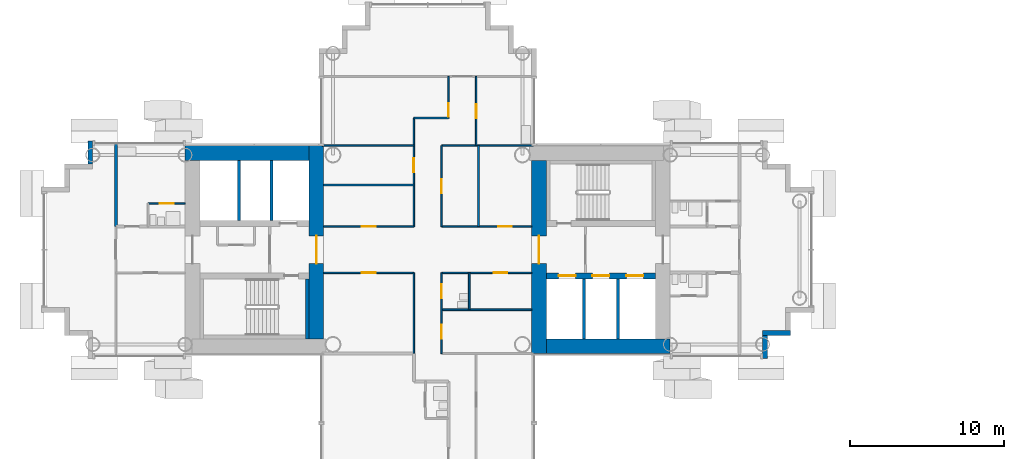
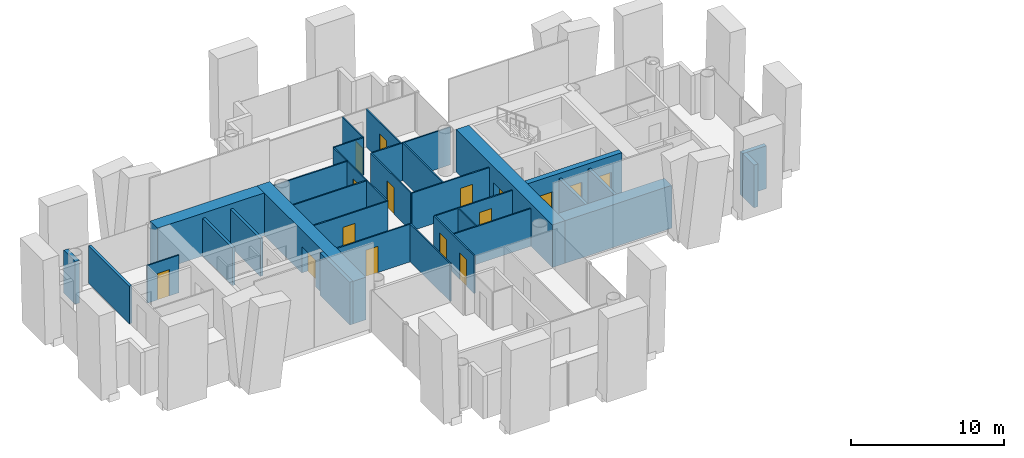
# One storey, part 9 of 20: 32 walls, 16 doors, 16 openings.
"""IFC4 building model written with IfcOpenShell, lengths in metres."""

import ifcopenshell
import ifcopenshell.guid

model = None  # the IFC model being written
_history = None  # IfcOwnerHistory: only IFC2X3 demands one
_inside = {}  # id of a spatial element -> (the spatial element, [elements in it])
_under = {}  # id of a project, library or spatial element -> (it, [spatial elements below it])
_declared = {}  # id of a project -> (the project, [libraries it declares])
_typed = {}  # id of a type object -> (the type object, [elements of that type])
_made_of = {}  # id of a material, layer set ... -> (it, [elements and type objects made of it])


def new_model(schema):
    """Start an empty IFC model of exactly this schema.

    Asked for "IFC4X3", IfcOpenShell would pick the latest addendum, in which some entities
    have other attributes; the version numbers below select the first issue.
    IFC2X3 requires an IfcOwnerHistory on every rooted entity: one is made here for all.
    """
    global model, _history
    if schema == "IFC4X3":
        model = ifcopenshell.file(schema_version=(4, 3, 0, 0))
    else:
        model = ifcopenshell.file(schema=schema)
    _inside.clear()
    _under.clear()
    _declared.clear()
    _typed.clear()
    _made_of.clear()
    _history = None
    if model.schema == "IFC2X3":
        org = make("IfcOrganization", Name="unknown")
        user = make(
            "IfcPersonAndOrganization",
            ThePerson=make("IfcPerson", FamilyName="unknown"),
            TheOrganization=org,
        )
        app = make(
            "IfcApplication",
            ApplicationDeveloper=org,
            Version="unknown",
            ApplicationFullName="unknown",
            ApplicationIdentifier="unknown",
        )
        _history = make(
            "IfcOwnerHistory",
            OwningUser=user,
            OwningApplication=app,
            ChangeAction="ADDED",
            CreationDate=0,
        )
    return model


def make(cls, **values):
    """One entity of the class cls with the attributes given. An attribute that is None is left unset."""
    return model.create_entity(
        cls, **{name: value for name, value in values.items() if value is not None}
    )


def rooted(cls, **values):
    """An entity with a GlobalId (a new one), such as an element, a storey or a relation."""
    return make(cls, GlobalId=ifcopenshell.guid.new(), OwnerHistory=_history, **values)


def si_unit(unit_type, name, prefix=None):
    """IfcSIUnit, for example si_unit("LENGTHUNIT", "METRE", prefix="MILLI")."""
    return make("IfcSIUnit", UnitType=unit_type, Prefix=prefix, Name=name)


def assignment(units):
    """IfcUnitAssignment: the units of a project."""
    return None if units is None else make("IfcUnitAssignment", Units=units)


def point(xyz):
    """IfcCartesianPoint."""
    return None if xyz is None else make("IfcCartesianPoint", Coordinates=xyz)


def direction(xyz):
    """IfcDirection."""
    return None if xyz is None else make("IfcDirection", DirectionRatios=xyz)


def frame(location, z_axis=None, x_axis=None):
    """IfcAxis2Placement3D, a coordinate frame: its origin and axes. An axis left out is left unset."""
    return make(
        "IfcAxis2Placement3D",
        Location=point(location),
        Axis=direction(z_axis),
        RefDirection=direction(x_axis),
    )


def frame_2d(location, x_axis=None):
    """IfcAxis2Placement2D, a coordinate frame in the plane: its origin and x axis."""
    return make(
        "IfcAxis2Placement2D", Location=point(location), RefDirection=direction(x_axis)
    )


def origin():
    """The frame at (0, 0, 0) with its axes left unset."""
    return frame((0.0, 0.0, 0.0))


def place(relative_to, where):
    """IfcLocalPlacement: puts the frame where relative to a parent placement (None: the world)."""
    return make(
        "IfcLocalPlacement", PlacementRelTo=relative_to, RelativePlacement=where
    )


def context(
    kind, dimensions, precision=None, world=None, true_north=None, identifier=None
):
    """IfcGeometricRepresentationContext, for example the 3D "Model" context."""
    return make(
        "IfcGeometricRepresentationContext",
        ContextIdentifier=identifier,
        ContextType=kind,
        CoordinateSpaceDimension=dimensions,
        Precision=precision,
        WorldCoordinateSystem=world,
        TrueNorth=true_north,
    )


def subcontext(parent, identifier, kind, view, scale=None):
    """IfcGeometricRepresentationSubContext, for example "Body" below "Model"."""
    return make(
        "IfcGeometricRepresentationSubContext",
        ContextIdentifier=identifier,
        ContextType=kind,
        ParentContext=parent,
        TargetScale=scale,
        TargetView=view,
    )


def project(units=None, contexts=None):
    """IfcProject with its units and contexts."""
    return rooted(
        "IfcProject",
        Name="project",
        RepresentationContexts=contexts,
        UnitsInContext=assignment(units),
    )


def spatial(cls, under=None, at=None, **own):
    """A site, building, storey or space (cls), placed at a placement, below another one or the project."""
    s = rooted(cls, ObjectPlacement=at, **own)
    if under is not None:
        _under.setdefault(under.id(), (under, []))[1].append(s)
    return s


def profile(cls, at=None, kind="AREA", **sizes):
    """A parametric profile (cls). Its sizes go by their IFC names, for example OverallWidth=200.0."""
    return make(cls, ProfileType=kind, Position=at, **sizes)


def rectangle(**sizes):
    """IfcRectangleProfileDef."""
    return profile("IfcRectangleProfileDef", **sizes)


def extrude(swept, where, along, depth):
    """IfcExtrudedAreaSolid: the profile swept, set in the frame where, extruded along a direction by depth."""
    return make(
        "IfcExtrudedAreaSolid",
        SweptArea=swept,
        Position=where,
        ExtrudedDirection=direction(along),
        Depth=depth,
    )


def shape(context_of_items, identifier, shape_type, items):
    """IfcShapeRepresentation: the items that make up one representation, for example the "Body"."""
    return make(
        "IfcShapeRepresentation",
        ContextOfItems=context_of_items,
        RepresentationIdentifier=identifier,
        RepresentationType=shape_type,
        Items=items,
    )


def material(Name=None, Category=None):
    """IfcMaterial."""
    return make("IfcMaterial", Name=Name, Category=Category)


def layer(
    of_material, thickness, ventilated=None, Name=None, Category=None, Priority=None
):
    """IfcMaterialLayer: one layer of a wall or slab, of a material (None: an air gap)."""
    return make(
        "IfcMaterialLayer",
        Material=of_material,
        LayerThickness=thickness,
        IsVentilated=ventilated,
        Name=Name,
        Category=Category,
        Priority=Priority,
    )


def layer_set(layers, Name=None):
    """IfcMaterialLayerSet."""
    return make("IfcMaterialLayerSet", MaterialLayers=layers, LayerSetName=Name)


def made_of(thing, what):
    """Note that an element or type object is made of a material, layer set ...; save() writes the relation."""
    if what is not None:
        _made_of.setdefault(what.id(), (what, []))[1].append(thing)
    return thing


def type_object(cls, material=None, **own):
    """A type object (cls), such as IfcWallType, which elements share."""
    return made_of(rooted(cls, **own), material)


def element(
    cls,
    number,
    at=None,
    inside=None,
    cuts=None,
    type_object=None,
    material=None,
    context=None,
    identifier="Body",
    shape_type=None,
    held_by="IfcProductDefinitionShape",
    body=None,
    shapes=None,
    **own,
):
    """One element of the class cls, such as IfcWall. Its Tag is "e" and its number.

    at: its placement. inside: the storey or other place that contains it. cuts: it is an
    opening in that element (IfcRelVoidsElement). A single representation is given by context,
    identifier, shape_type and body (its items); several are given by shapes. held_by: the class
    of the entity that holds the representations. save() writes the other relations.
    """
    e = rooted(cls, Tag="e%d" % number, ObjectPlacement=at, **own)
    if body is not None:
        shapes = [shape(context, identifier, shape_type, body)]
    if shapes is not None:
        e.Representation = make(held_by, Representations=shapes)
    if inside is not None:
        _inside.setdefault(inside.id(), (inside, []))[1].append(e)
    if cuts is not None:
        rooted(
            "IfcRelVoidsElement", RelatingBuildingElement=cuts, RelatedOpeningElement=e
        )
    if type_object is not None:
        _typed.setdefault(type_object.id(), (type_object, []))[1].append(e)
    return made_of(e, material)


def fill(opening, filler):
    """IfcRelFillsElement: the door or window that sits in an opening."""
    return rooted(
        "IfcRelFillsElement",
        RelatingOpeningElement=opening,
        RelatedBuildingElement=filler,
    )


def aggregate(whole, parts):
    """IfcRelAggregates: a whole, such as a stair, and the parts it consists of."""
    return rooted("IfcRelAggregates", RelatingObject=whole, RelatedObjects=parts)


def save(model, path):
    """Write the relations noted so far, then the file.

    IfcRelAggregates (storeys below a building ...), IfcRelContainedInSpatialStructure (elements
    in a storey), IfcRelDefinesByType, IfcRelAssociatesMaterial and IfcRelDeclares: one each for
    every whole, place, type object, material and project.
    """
    for whole, parts in _under.values():
        aggregate(whole, parts)
    for where, things in _inside.values():
        rooted(
            "IfcRelContainedInSpatialStructure",
            RelatedElements=things,
            RelatingStructure=where,
        )
    for kind, things in _typed.values():
        rooted("IfcRelDefinesByType", RelatedObjects=things, RelatingType=kind)
    for what, things in _made_of.values():
        rooted("IfcRelAssociatesMaterial", RelatedObjects=things, RelatingMaterial=what)
    for by, libraries in _declared.values():
        rooted("IfcRelDeclares", RelatingContext=by, RelatedDefinitions=libraries)
    model.write(path)


model = new_model("IFC4")

# Units and contexts
model_context = context("Model", 3, precision=1e-05, world=origin(), true_north=direction((0.0, 1.0)))
body_context = subcontext(model_context, "Body", "Model", "MODEL_VIEW")
ifc_project = project(units=[si_unit("LENGTHUNIT", "METRE"), si_unit("AREAUNIT", "SQUARE_METRE"), si_unit("VOLUMEUNIT", "CUBIC_METRE"), si_unit("PLANEANGLEUNIT", "RADIAN"), si_unit("MASSUNIT", "GRAM", prefix="KILO")], contexts=[model_context])

# Site, building, storey
site_placement = place(None, origin())
site = spatial("IfcSite", under=ifc_project, at=site_placement, CompositionType="ELEMENT")
building_placement = place(site_placement, origin())
building = spatial("IfcBuilding", under=site, at=building_placement, Name="Ipe Terrace Towers", CompositionType="ELEMENT")
storey_placement = place(building_placement, frame((0.0, 0.0, 100.39990234375)))
storey = spatial("IfcBuildingStorey", under=building, at=storey_placement, Name="L27", CompositionType="ELEMENT", Elevation=100.39990234375)

# Walls
ifc_material_1 = material(Name="Concrete C40/50 with buff precast cladding", Category="concrete")
ifc_layer_1 = layer(ifc_material_1, 0.320068359375)
ifc_layer_set_1 = layer_set([ifc_layer_1], Name="BUFF CLADDING WALL 320")
wall_type_1 = type_object("IfcWallType", Name="BUFF CLADDING WALL 320", PredefinedType="STANDARD", material=ifc_layer_set_1)
wall_1_placement = place(storey_placement, frame((-14.090087890625, -7.070068359375, -0.2998046875), z_axis=(0.0, 0.0, 1.0), x_axis=(0.0, 1.0, 0.0)))
element("IfcWall", 1, at=wall_1_placement, inside=storey, type_object=wall_type_1, Name="T1-W-L27-21a wall", PredefinedType="STANDARD", context=body_context, shape_type="SweptSolid", body=[
    extrude(rectangle(XDim=1.5, YDim=0.320068359375, at=frame_2d((0.75, 0.0))), origin(), (0.0, 0.0, 1.0), 3.39990234375),
])
wall_2_placement = place(storey_placement, frame((-14.25, -5.409912109375, -0.2998046875), z_axis=(0.0, 0.0, 1.0), x_axis=(1.0, 0.0, 0.0)))
element("IfcWall", 2, at=wall_2_placement, inside=storey, type_object=wall_type_1, Name="T1-W-L27-22a wall", PredefinedType="STANDARD", context=body_context, shape_type="SweptSolid", body=[
    extrude(rectangle(XDim=1.820068359375, YDim=0.320068359375, at=frame_2d((0.91015625, 0.0))), origin(), (0.0, 0.0, 1.0), 3.39990234375),
])
wall_3_placement = place(storey_placement, frame((-57.909912109375, 7.070068359375, -0.2998046875), z_axis=(0.0, 0.0, 1.0), x_axis=(0.0, -1.0, 0.0)))
element("IfcWall", 3, at=wall_3_placement, inside=storey, type_object=wall_type_1, Name="T1-W-L27-47a wall", PredefinedType="STANDARD", context=body_context, shape_type="SweptSolid", body=[
    extrude(rectangle(XDim=1.5, YDim=0.320068359375, at=frame_2d((0.75, 0.0))), origin(), (0.0, 0.0, 1.0), 3.39990234375),
])
ifc_material_2 = material(Name="Gypsum board partition", Category="plasterboard")
ifc_layer_2 = layer(ifc_material_2, 0.10009765625)
ifc_layer_set_2 = layer_set([ifc_layer_2], Name="Gypsum board partition 100 mm")
wall_type_2 = type_object("IfcWallType", Name="Gypsum board partition 100 mm", PredefinedType="PARTITIONING", material=ifc_layer_set_2)
wall_4_placement = place(storey_placement, frame((-36.89990234375, -6.75, 0.0), z_axis=(0.0, 0.0, 1.0), x_axis=(0.0, 1.0, 0.0)))
element("IfcWall", 4, at=wall_4_placement, inside=storey, type_object=wall_type_2, Name="Gypsum board partition T1 L27 W04", PredefinedType="PARTITIONING", context=body_context, shape_type="SweptSolid", body=[
    extrude(rectangle(XDim=5.25, YDim=0.10009765625, at=frame_2d((2.625, 0.0))), origin(), (0.0, 0.0, 1.0), 3.0),
])

# Wall, opening, door
wall_5_placement = place(storey_placement, frame((-36.89990234375, 1.5, 0.0), z_axis=(0.0, 0.0, 1.0), x_axis=(0.0, 1.0, 0.0)))
wall_5 = element("IfcWall", 5, at=wall_5_placement, inside=storey, type_object=wall_type_2, Name="Gypsum board partition T1 L27 W05", PredefinedType="PARTITIONING", context=body_context, shape_type="SweptSolid", body=[
    extrude(rectangle(XDim=7.050048828125, YDim=0.10009765625, at=frame_2d((3.52490234375, 0.0))), origin(), (0.0, 0.0, 1.0), 3.0),
])
opening_1_placement = place(wall_5_placement, frame((3.52490234375, 0.0, 0.0)))
opening_1 = element("IfcOpeningElement", 6, at=opening_1_placement, cuts=wall_5, Name="Opening T1-Z2E-05", PredefinedType="OPENING", context=body_context, shape_type="SweptSolid", body=[
    extrude(rectangle(XDim=0.89990234375, YDim=2.10009765625, at=frame_2d((0.449951171875, 1.050048828125))), frame((0.0, 0.06005859375, 0.0), z_axis=(0.0, -1.0, 0.0), x_axis=(1.0, 0.0, 0.0)), (0.0, 0.0, 1.0), 0.1201171875),
])
ifc_material_3 = material(Name="Timber door leaf", Category="wood")
door_type_1 = type_object("IfcDoorType", Name="Lounge door 900 x 2100", OperationType="NOTDEFINED", PredefinedType="DOOR", material=ifc_material_3)
door_1_placement = place(opening_1_placement, origin())
door_1 = element("IfcDoor", 7, at=door_1_placement, inside=storey, type_object=door_type_1, Name="Lounge door T1-Z2E-05", OperationType="SINGLE_SWING_LEFT", OverallHeight=2.10009765625, OverallWidth=0.89990234375, PredefinedType="DOOR", context=body_context, shape_type="SweptSolid", body=[
    extrude(rectangle(XDim=0.89990234375, YDim=2.10009765625, at=frame_2d((0.449951171875, 1.050048828125))), frame((0.0, 0.02490234375, 0.0), z_axis=(0.0, -1.0, 0.0), x_axis=(1.0, 0.0, 0.0)), (0.0, 0.0, 1.0), 0.050048828125),
])
fill(opening_1, door_1)

# Wall, openings, doors
wall_6_placement = place(storey_placement, frame((-35.10009765625, -6.75, 0.0), z_axis=(0.0, 0.0, 1.0), x_axis=(0.0, 1.0, 0.0)))
wall_6 = element("IfcWall", 8, at=wall_6_placement, inside=storey, type_object=wall_type_2, Name="Gypsum board partition T1 L27 W08", PredefinedType="PARTITIONING", context=body_context, shape_type="SweptSolid", body=[
    extrude(rectangle(XDim=5.25, YDim=0.10009765625, at=frame_2d((2.625, 0.0))), origin(), (0.0, 0.0, 1.0), 3.0),
])
opening_2_placement = place(wall_6_placement, frame((3.60009765625, 0.0, 0.0)))
opening_2 = element("IfcOpeningElement", 9, at=opening_2_placement, cuts=wall_6, Name="Opening T1-Z2E-01", PredefinedType="OPENING", context=body_context, shape_type="SweptSolid", body=[
    extrude(rectangle(XDim=0.89990234375, YDim=2.10009765625, at=frame_2d((0.449951171875, 1.050048828125))), frame((0.0, 0.06005859375, 0.0), z_axis=(0.0, -1.0, 0.0), x_axis=(1.0, 0.0, 0.0)), (0.0, 0.0, 1.0), 0.1201171875),
])
opening_3_placement = place(wall_6_placement, frame((0.97509765625, 0.0, 0.0)))
opening_3 = element("IfcOpeningElement", 10, at=opening_3_placement, cuts=wall_6, Name="Opening T1-Z2E-08", PredefinedType="OPENING", context=body_context, shape_type="SweptSolid", body=[
    extrude(rectangle(XDim=0.89990234375, YDim=2.10009765625, at=frame_2d((0.449951171875, 1.050048828125))), frame((0.0, 0.06005859375, 0.0), z_axis=(0.0, -1.0, 0.0), x_axis=(1.0, 0.0, 0.0)), (0.0, 0.0, 1.0), 0.1201171875),
])
ifc_material_4 = material(Name="Timber door leaf", Category="wood")
door_type_2 = type_object("IfcDoorType", Name="Bathroom door 900 x 2100", OperationType="NOTDEFINED", PredefinedType="DOOR", material=ifc_material_4)
door_2_placement = place(opening_2_placement, origin())
door_2 = element("IfcDoor", 11, at=door_2_placement, inside=storey, type_object=door_type_2, Name="Bathroom door T1-Z2E-01", OperationType="SINGLE_SWING_RIGHT", OverallHeight=2.10009765625, OverallWidth=0.89990234375, PredefinedType="DOOR", context=body_context, shape_type="SweptSolid", body=[
    extrude(rectangle(XDim=0.89990234375, YDim=2.10009765625, at=frame_2d((0.449951171875, 1.050048828125))), frame((0.0, 0.02490234375, 0.0), z_axis=(0.0, -1.0, 0.0), x_axis=(1.0, 0.0, 0.0)), (0.0, 0.0, 1.0), 0.050048828125),
])
fill(opening_2, door_2)
door_3_placement = place(opening_3_placement, origin())
door_3 = element("IfcDoor", 12, at=door_3_placement, inside=storey, type_object=door_type_1, Name="Lounge door T1-Z2E-08", OperationType="SINGLE_SWING_LEFT", OverallHeight=2.10009765625, OverallWidth=0.89990234375, PredefinedType="DOOR", context=body_context, shape_type="SweptSolid", body=[
    extrude(rectangle(XDim=0.89990234375, YDim=2.10009765625, at=frame_2d((0.449951171875, 1.050048828125))), frame((0.0, 0.02490234375, 0.0), z_axis=(0.0, -1.0, 0.0), x_axis=(1.0, 0.0, 0.0)), (0.0, 0.0, 1.0), 0.050048828125),
])
fill(opening_3, door_3)

# Wall, opening, door
wall_7_placement = place(storey_placement, frame((-35.10009765625, 1.5, 0.0), z_axis=(0.0, 0.0, 1.0), x_axis=(0.0, 1.0, 0.0)))
wall_7 = element("IfcWall", 13, at=wall_7_placement, inside=storey, type_object=wall_type_2, Name="Gypsum board partition T1 L27 W09", PredefinedType="PARTITIONING", context=body_context, shape_type="SweptSolid", body=[
    extrude(rectangle(XDim=5.25, YDim=0.10009765625, at=frame_2d((2.625, 0.0))), origin(), (0.0, 0.0, 1.0), 3.0),
])
opening_4_placement = place(wall_7_placement, frame((2.175048828125, 0.0, 0.0)))
opening_4 = element("IfcOpeningElement", 14, at=opening_4_placement, cuts=wall_7, Name="Opening T1-Z2E-02", PredefinedType="OPENING", context=body_context, shape_type="SweptSolid", body=[
    extrude(rectangle(XDim=0.89990234375, YDim=2.10009765625, at=frame_2d((0.449951171875, 1.050048828125))), frame((0.0, 0.06005859375, 0.0), z_axis=(0.0, -1.0, 0.0), x_axis=(1.0, 0.0, 0.0)), (0.0, 0.0, 1.0), 0.1201171875),
])
door_4_placement = place(opening_4_placement, origin())
door_4 = element("IfcDoor", 15, at=door_4_placement, inside=storey, type_object=door_type_1, Name="Lounge door T1-Z2E-02", OperationType="SINGLE_SWING_RIGHT", OverallHeight=2.10009765625, OverallWidth=0.89990234375, PredefinedType="DOOR", context=body_context, shape_type="SweptSolid", body=[
    extrude(rectangle(XDim=0.89990234375, YDim=2.10009765625, at=frame_2d((0.449951171875, 1.050048828125))), frame((0.0, 0.02490234375, 0.0), z_axis=(0.0, -1.0, 0.0), x_axis=(1.0, 0.0, 0.0)), (0.0, 0.0, 1.0), 0.050048828125),
])
fill(opening_4, door_4)

wall_8_placement = place(storey_placement, frame((-34.64990234375, 8.550048828125, 0.0), z_axis=(0.0, 0.0, 1.0), x_axis=(0.0, 1.0, 0.0)))
wall_8 = element("IfcWall", 16, at=wall_8_placement, inside=storey, type_object=wall_type_2, Name="Gypsum board partition T1 L27 W10", PredefinedType="PARTITIONING", context=body_context, shape_type="SweptSolid", body=[
    extrude(rectangle(XDim=2.699951171875, YDim=0.10009765625, at=frame_2d((1.35009765625, 0.0))), origin(), (0.0, 0.0, 1.0), 3.0),
])
opening_5_placement = place(wall_8_placement, frame((0.070068359375, 0.0, 0.0)))
opening_5 = element("IfcOpeningElement", 17, at=opening_5_placement, cuts=wall_8, Name="Opening T1-Z2E-09", PredefinedType="OPENING", context=body_context, shape_type="SweptSolid", body=[
    extrude(rectangle(XDim=0.89990234375, YDim=2.10009765625, at=frame_2d((0.449951171875, 1.050048828125))), frame((0.0, 0.06005859375, 0.0), z_axis=(0.0, -1.0, 0.0), x_axis=(1.0, 0.0, 0.0)), (0.0, 0.0, 1.0), 0.1201171875),
])
door_5_placement = place(opening_5_placement, origin())
door_5 = element("IfcDoor", 18, at=door_5_placement, inside=storey, type_object=door_type_1, Name="Lounge door T1-Z2E-09", OperationType="SINGLE_SWING_RIGHT", OverallHeight=2.10009765625, OverallWidth=0.89990234375, PredefinedType="DOOR", context=body_context, shape_type="SweptSolid", body=[
    extrude(rectangle(XDim=0.89990234375, YDim=2.10009765625, at=frame_2d((0.449951171875, 1.050048828125))), frame((0.0, 0.02490234375, 0.0), z_axis=(0.0, -1.0, 0.0), x_axis=(1.0, 0.0, 0.0)), (0.0, 0.0, 1.0), 0.050048828125),
])
fill(opening_5, door_5)

# Wall
wall_9_placement = place(storey_placement, frame((-33.300048828125, -3.89990234375, 0.0), z_axis=(0.0, 0.0, 1.0), x_axis=(0.0, 1.0, 0.0)))
element("IfcWall", 19, at=wall_9_placement, inside=storey, type_object=wall_type_2, Name="Gypsum board partition T1 L27 W12", PredefinedType="PARTITIONING", context=body_context, shape_type="SweptSolid", body=[
    extrude(rectangle(XDim=2.39990234375, YDim=0.10009765625, at=frame_2d((1.199951171875, 0.0))), origin(), (0.0, 0.0, 1.0), 3.0),
])

# Wall, opening, door
wall_10_placement = place(storey_placement, frame((-32.85009765625, 6.75, 0.0), z_axis=(0.0, 0.0, 1.0), x_axis=(0.0, 1.0, 0.0)))
wall_10 = element("IfcWall", 20, at=wall_10_placement, inside=storey, type_object=wall_type_2, Name="Gypsum board partition T1 L27 W14", PredefinedType="PARTITIONING", context=body_context, shape_type="SweptSolid", body=[
    extrude(rectangle(XDim=4.5, YDim=0.10009765625, at=frame_2d((2.25, 0.0))), origin(), (0.0, 0.0, 1.0), 3.0),
])
opening_6_placement = place(wall_10_placement, frame((1.800048828125, 0.0, 0.0)))
opening_6 = element("IfcOpeningElement", 21, at=opening_6_placement, cuts=wall_10, Name="Opening T1-Z2E-10", PredefinedType="OPENING", context=body_context, shape_type="SweptSolid", body=[
    extrude(rectangle(XDim=0.89990234375, YDim=2.10009765625, at=frame_2d((0.449951171875, 1.050048828125))), frame((0.0, 0.06005859375, 0.0), z_axis=(0.0, -1.0, 0.0), x_axis=(1.0, 0.0, 0.0)), (0.0, 0.0, 1.0), 0.1201171875),
])
door_6_placement = place(opening_6_placement, origin())
door_6 = element("IfcDoor", 22, at=door_6_placement, inside=storey, type_object=door_type_1, Name="Lounge door T1-Z2E-10", OperationType="SINGLE_SWING_RIGHT", OverallHeight=2.10009765625, OverallWidth=0.89990234375, PredefinedType="DOOR", context=body_context, shape_type="SweptSolid", body=[
    extrude(rectangle(XDim=0.89990234375, YDim=2.10009765625, at=frame_2d((0.449951171875, 1.050048828125))), frame((0.0, 0.02490234375, 0.0), z_axis=(0.0, -1.0, 0.0), x_axis=(1.0, 0.0, 0.0)), (0.0, 0.0, 1.0), 0.050048828125),
])
fill(opening_6, door_6)

# Walls
wall_11_placement = place(storey_placement, frame((-32.699951171875, 1.5, 0.0), z_axis=(0.0, 0.0, 1.0), x_axis=(0.0, 1.0, 0.0)))
element("IfcWall", 23, at=wall_11_placement, inside=storey, type_object=wall_type_2, Name="Gypsum board partition T1 L27 W15", PredefinedType="PARTITIONING", context=body_context, shape_type="SweptSolid", body=[
    extrude(rectangle(XDim=5.25, YDim=0.10009765625, at=frame_2d((2.625, 0.0))), origin(), (0.0, 0.0, 1.0), 3.0),
])
wall_12_placement = place(storey_placement, frame((-35.10009765625, -3.89990234375, 0.0), z_axis=(0.0, 0.0, 1.0), x_axis=(1.0, 0.0, 0.0)))
element("IfcWall", 24, at=wall_12_placement, inside=storey, type_object=wall_type_2, Name="Gypsum board partition T1 L27 W27", PredefinedType="PARTITIONING", context=body_context, shape_type="SweptSolid", body=[
    extrude(rectangle(XDim=5.85009765625, YDim=0.10009765625, at=frame_2d((2.925048828125, 0.0))), origin(), (0.0, 0.0, 1.0), 3.0),
])

# Wall, opening, door
wall_13_placement = place(storey_placement, frame((-42.75, -1.5, 0.0), z_axis=(0.0, 0.0, 1.0), x_axis=(1.0, 0.0, 0.0)))
wall_13 = element("IfcWall", 25, at=wall_13_placement, inside=storey, type_object=wall_type_2, Name="Gypsum board partition T1 L27 W30", PredefinedType="PARTITIONING", context=body_context, shape_type="SweptSolid", body=[
    extrude(rectangle(XDim=5.85009765625, YDim=0.10009765625, at=frame_2d((2.925048828125, 0.0))), origin(), (0.0, 0.0, 1.0), 3.0),
])
opening_7_placement = place(wall_13_placement, frame((2.47509765625, 0.0, 0.0)))
opening_7 = element("IfcOpeningElement", 26, at=opening_7_placement, cuts=wall_13, Name="Opening T1-Z2E-06", PredefinedType="OPENING", context=body_context, shape_type="SweptSolid", body=[
    extrude(rectangle(XDim=0.89990234375, YDim=2.10009765625, at=frame_2d((0.449951171875, 1.050048828125))), frame((0.0, 0.06005859375, 0.0), z_axis=(0.0, -1.0, 0.0), x_axis=(1.0, 0.0, 0.0)), (0.0, 0.0, 1.0), 0.1201171875),
])
door_7_placement = place(opening_7_placement, origin())
door_7 = element("IfcDoor", 27, at=door_7_placement, inside=storey, type_object=door_type_1, Name="Lounge door T1-Z2E-06", OperationType="SINGLE_SWING_LEFT", OverallHeight=2.10009765625, OverallWidth=0.89990234375, PredefinedType="DOOR", context=body_context, shape_type="SweptSolid", body=[
    extrude(rectangle(XDim=0.89990234375, YDim=2.10009765625, at=frame_2d((0.449951171875, 1.050048828125))), frame((0.0, 0.02490234375, 0.0), z_axis=(0.0, -1.0, 0.0), x_axis=(1.0, 0.0, 0.0)), (0.0, 0.0, 1.0), 0.050048828125),
])
fill(opening_7, door_7)

wall_14_placement = place(storey_placement, frame((-35.10009765625, -1.5, 0.0), z_axis=(0.0, 0.0, 1.0), x_axis=(1.0, 0.0, 0.0)))
wall_14 = element("IfcWall", 28, at=wall_14_placement, inside=storey, type_object=wall_type_2, Name="Gypsum board partition T1 L27 W31", PredefinedType="PARTITIONING", context=body_context, shape_type="SweptSolid", body=[
    extrude(rectangle(XDim=5.85009765625, YDim=0.10009765625, at=frame_2d((2.925048828125, 0.0))), origin(), (0.0, 0.0, 1.0), 3.0),
])
opening_8_placement = place(wall_14_placement, frame((3.375, 0.0, 0.0)))
opening_8 = element("IfcOpeningElement", 29, at=opening_8_placement, cuts=wall_14, Name="Opening T1-Z2E-07", PredefinedType="OPENING", context=body_context, shape_type="SweptSolid", body=[
    extrude(rectangle(XDim=0.89990234375, YDim=2.10009765625, at=frame_2d((0.449951171875, 1.050048828125))), frame((0.0, 0.06005859375, 0.0), z_axis=(0.0, -1.0, 0.0), x_axis=(1.0, 0.0, 0.0)), (0.0, 0.0, 1.0), 0.1201171875),
])
door_8_placement = place(opening_8_placement, origin())
door_8 = element("IfcDoor", 30, at=door_8_placement, inside=storey, type_object=door_type_1, Name="Lounge door T1-Z2E-07", OperationType="SINGLE_SWING_RIGHT", OverallHeight=2.10009765625, OverallWidth=0.89990234375, PredefinedType="DOOR", context=body_context, shape_type="SweptSolid", body=[
    extrude(rectangle(XDim=0.89990234375, YDim=2.10009765625, at=frame_2d((0.449951171875, 1.050048828125))), frame((0.0, 0.02490234375, 0.0), z_axis=(0.0, -1.0, 0.0), x_axis=(1.0, 0.0, 0.0)), (0.0, 0.0, 1.0), 0.050048828125),
])
fill(opening_8, door_8)

wall_15_placement = place(storey_placement, frame((-42.75, 1.5, 0.0), z_axis=(0.0, 0.0, 1.0), x_axis=(1.0, 0.0, 0.0)))
wall_15 = element("IfcWall", 31, at=wall_15_placement, inside=storey, type_object=wall_type_2, Name="Gypsum board partition T1 L27 W33", PredefinedType="PARTITIONING", context=body_context, shape_type="SweptSolid", body=[
    extrude(rectangle(XDim=5.85009765625, YDim=0.10009765625, at=frame_2d((2.925048828125, 0.0))), origin(), (0.0, 0.0, 1.0), 3.0),
])
opening_9_placement = place(wall_15_placement, frame((2.47509765625, 0.0, 0.0)))
opening_9 = element("IfcOpeningElement", 32, at=opening_9_placement, cuts=wall_15, Name="Opening T1-Z2E-04", PredefinedType="OPENING", context=body_context, shape_type="SweptSolid", body=[
    extrude(rectangle(XDim=0.89990234375, YDim=2.10009765625, at=frame_2d((0.449951171875, 1.050048828125))), frame((0.0, 0.06005859375, 0.0), z_axis=(0.0, -1.0, 0.0), x_axis=(1.0, 0.0, 0.0)), (0.0, 0.0, 1.0), 0.1201171875),
])
door_9_placement = place(opening_9_placement, origin())
door_9 = element("IfcDoor", 33, at=door_9_placement, inside=storey, type_object=door_type_1, Name="Lounge door T1-Z2E-04", OperationType="SINGLE_SWING_RIGHT", OverallHeight=2.10009765625, OverallWidth=0.89990234375, PredefinedType="DOOR", context=body_context, shape_type="SweptSolid", body=[
    extrude(rectangle(XDim=0.89990234375, YDim=2.10009765625, at=frame_2d((0.449951171875, 1.050048828125))), frame((0.0, 0.02490234375, 0.0), z_axis=(0.0, -1.0, 0.0), x_axis=(1.0, 0.0, 0.0)), (0.0, 0.0, 1.0), 0.050048828125),
])
fill(opening_9, door_9)

wall_16_placement = place(storey_placement, frame((-35.10009765625, 1.5, 0.0), z_axis=(0.0, 0.0, 1.0), x_axis=(1.0, 0.0, 0.0)))
wall_16 = element("IfcWall", 34, at=wall_16_placement, inside=storey, type_object=wall_type_2, Name="Gypsum board partition T1 L27 W34", PredefinedType="PARTITIONING", context=body_context, shape_type="SweptSolid", body=[
    extrude(rectangle(XDim=5.85009765625, YDim=0.10009765625, at=frame_2d((2.925048828125, 0.0))), origin(), (0.0, 0.0, 1.0), 3.0),
])
opening_10_placement = place(wall_16_placement, frame((3.675048828125, 0.0, 0.0)))
opening_10 = element("IfcOpeningElement", 35, at=opening_10_placement, cuts=wall_16, Name="Opening T1-Z2E-03", PredefinedType="OPENING", context=body_context, shape_type="SweptSolid", body=[
    extrude(rectangle(XDim=0.89990234375, YDim=2.10009765625, at=frame_2d((0.449951171875, 1.050048828125))), frame((0.0, 0.06005859375, 0.0), z_axis=(0.0, -1.0, 0.0), x_axis=(1.0, 0.0, 0.0)), (0.0, 0.0, 1.0), 0.1201171875),
])
door_10_placement = place(opening_10_placement, origin())
door_10 = element("IfcDoor", 36, at=door_10_placement, inside=storey, type_object=door_type_1, Name="Lounge door T1-Z2E-03", OperationType="SINGLE_SWING_LEFT", OverallHeight=2.10009765625, OverallWidth=0.89990234375, PredefinedType="DOOR", context=body_context, shape_type="SweptSolid", body=[
    extrude(rectangle(XDim=0.89990234375, YDim=2.10009765625, at=frame_2d((0.449951171875, 1.050048828125))), frame((0.0, 0.02490234375, 0.0), z_axis=(0.0, -1.0, 0.0), x_axis=(1.0, 0.0, 0.0)), (0.0, 0.0, 1.0), 0.050048828125),
])
fill(opening_10, door_10)

wall_17_placement = place(storey_placement, frame((-54.14990234375, 3.0, 0.0), z_axis=(0.0, 0.0, 1.0), x_axis=(1.0, 0.0, 0.0)))
wall_17 = element("IfcWall", 37, at=wall_17_placement, inside=storey, type_object=wall_type_2, Name="Gypsum board partition T1 L27 W37", PredefinedType="PARTITIONING", context=body_context, shape_type="SweptSolid", body=[
    extrude(rectangle(XDim=2.39990234375, YDim=0.10009765625, at=frame_2d((1.199951171875, 0.0))), origin(), (0.0, 0.0, 1.0), 3.0),
])
opening_11_placement = place(wall_17_placement, frame((0.75, 0.0, 0.0)))
opening_11 = element("IfcOpeningElement", 38, at=opening_11_placement, cuts=wall_17, Name="Opening T1-Z2E-24", PredefinedType="OPENING", context=body_context, shape_type="SweptSolid", body=[
    extrude(rectangle(XDim=0.89990234375, YDim=2.10009765625, at=frame_2d((0.449951171875, 1.050048828125))), frame((0.0, 0.06005859375, 0.0), z_axis=(0.0, -1.0, 0.0), x_axis=(1.0, 0.0, 0.0)), (0.0, 0.0, 1.0), 0.1201171875),
])
door_11_placement = place(opening_11_placement, origin())
door_11 = element("IfcDoor", 39, at=door_11_placement, inside=storey, type_object=door_type_2, Name="Bathroom door T1-Z2E-24", OperationType="SINGLE_SWING_RIGHT", OverallHeight=2.10009765625, OverallWidth=0.89990234375, PredefinedType="DOOR", context=body_context, shape_type="SweptSolid", body=[
    extrude(rectangle(XDim=0.89990234375, YDim=2.10009765625, at=frame_2d((0.449951171875, 1.050048828125))), frame((0.0, 0.02490234375, 0.0), z_axis=(0.0, -1.0, 0.0), x_axis=(1.0, 0.0, 0.0)), (0.0, 0.0, 1.0), 0.050048828125),
])
fill(opening_11, door_11)

# Walls
wall_18_placement = place(storey_placement, frame((-42.75, 4.199951171875, 0.0), z_axis=(0.0, 0.0, 1.0), x_axis=(1.0, 0.0, 0.0)))
element("IfcWall", 40, at=wall_18_placement, inside=storey, type_object=wall_type_2, Name="Gypsum board partition T1 L27 W39", PredefinedType="PARTITIONING", context=body_context, shape_type="SweptSolid", body=[
    extrude(rectangle(XDim=5.85009765625, YDim=0.10009765625, at=frame_2d((2.925048828125, 0.0))), origin(), (0.0, 0.0, 1.0), 3.0),
])
for number, where, z_axis, x_axis, name in (
    (41, (-42.85009765625, 6.75, 0.0), (0.0, 0.0, 1.0), (1.0, 0.0, 0.0), "Gypsum board partition T1 L27 W40"),
    (42, (-35.10009765625, 6.75, 0.0), (0.0, 0.0, 1.0), (1.0, 0.0, 0.0), "Gypsum board partition T1 L27 W41"),
):
    element("IfcWall", number, at=place(storey_placement, frame(where, z_axis=z_axis, x_axis=x_axis)), inside=storey, type_object=wall_type_2, Name=name, PredefinedType="PARTITIONING", context=body_context, shape_type="SweptSolid", body=[
        extrude(rectangle(XDim=5.9501953125, YDim=0.10009765625, at=frame_2d((2.97509765625, 0.0))), origin(), (0.0, 0.0, 1.0), 3.0),
    ])
wall_19_placement = place(storey_placement, frame((-36.89990234375, 8.550048828125, 0.0), z_axis=(0.0, 0.0, 1.0), x_axis=(1.0, 0.0, 0.0)))
element("IfcWall", 43, at=wall_19_placement, inside=storey, type_object=wall_type_2, Name="Gypsum board partition T1 L27 W42", PredefinedType="PARTITIONING", context=body_context, shape_type="SweptSolid", body=[
    extrude(rectangle(XDim=2.25, YDim=0.10009765625, at=frame_2d((1.125, 0.0))), origin(), (0.0, 0.0, 1.0), 3.0),
])
ifc_material_5 = material(Name="Gypsum board party wall", Category="plasterboard")
ifc_layer_3 = layer(ifc_material_5, 0.199951171875)
ifc_layer_set_3 = layer_set([ifc_layer_3], Name="Gypsum board party wall 200 mm")
wall_type_3 = type_object("IfcWallType", Name="Gypsum board party wall 200 mm", PredefinedType="SOLIDWALL", material=ifc_layer_set_3)
for number, where, z_axis, x_axis, name in (
    (44, (-25.85009765625, -5.800048828125, 0.0), (0.0, 0.0, 1.0), (0.0, 1.0, 0.0), "Gypsum board party wall T1 L27 t1c1-shaft-div1"),
    (45, (-23.64990234375, -5.800048828125, 0.0), (0.0, 0.0, 1.0), (0.0, 1.0, 0.0), "Gypsum board party wall T1 L27 t1c1-shaft-div2"),
    (46, (-46.14990234375, 5.800048828125, 0.0), (0.0, 0.0, 1.0), (0.0, -1.0, 0.0), "Gypsum board party wall T1 L27 t1c2-shaft-div1"),
    (47, (-48.25, 5.800048828125, 0.0), (0.0, 0.0, 1.0), (0.0, -1.0, 0.0), "Gypsum board party wall T1 L27 t1c2-shaft-div2"),
):
    element("IfcWall", number, at=place(storey_placement, frame(where, z_axis=z_axis, x_axis=x_axis)), inside=storey, type_object=wall_type_3, Name=name, PredefinedType="SOLIDWALL", context=body_context, shape_type="SweptSolid", body=[
        extrude(rectangle(XDim=3.900146484375, YDim=0.199951171875, at=frame_2d((1.9501953125, 0.0))), origin(), (0.0, 0.0, 1.0), 3.0),
    ])
wall_20_placement = place(storey_placement, frame((-56.25, 1.5, 0.0), z_axis=(0.0, 0.0, 1.0), x_axis=(0.0, 1.0, 0.0)))
element("IfcWall", 48, at=wall_20_placement, inside=storey, type_object=wall_type_3, Name="Gypsum board party wall T1 L27 W02", PredefinedType="SOLIDWALL", context=body_context, shape_type="SweptSolid", body=[
    extrude(rectangle(XDim=5.35009765625, YDim=0.199951171875, at=frame_2d((2.675048828125, 0.0))), origin(), (0.0, 0.0, 1.0), 3.0),
])
ifc_material_6 = material(Name="Concrete C50/60", Category="concrete")
ifc_layer_4 = layer(ifc_material_6, 0.25)
ifc_layer_set_4 = layer_set([ifc_layer_4], Name="RW250 CORE INFILL WALL 250 C50-60")
wall_type_4 = type_object("IfcWallType", Name="RW250 CORE INFILL WALL 250 C50-60", PredefinedType="SHEAR", material=ifc_layer_set_4)
wall_21_placement = place(storey_placement, frame((-43.824951171875, -1.89990234375, 0.0), z_axis=(0.0, 0.0, 1.0), x_axis=(0.0, -1.0, 0.0)))
element("IfcWall", 49, at=wall_21_placement, inside=storey, type_object=wall_type_4, Name="Core infill wall T1-C2-near", PredefinedType="SHEAR", context=body_context, shape_type="SweptSolid", body=[
    extrude(rectangle(XDim=3.900146484375, YDim=0.25, at=frame_2d((1.9501953125, 0.0))), origin(), (0.0, 0.0, 1.0), 3.400146484375),
])

# Wall, openings, doors
ifc_material_7 = material(Name="Concrete C50/60", Category="concrete")
ifc_layer_5 = layer(ifc_material_7, 0.39990234375)
ifc_layer_set_5 = layer_set([ifc_layer_5], Name="RW400 CORE SPINE WALL 400 C50-60")
wall_type_5 = type_object("IfcWallType", Name="RW400 CORE SPINE WALL 400 C50-60", PredefinedType="SHEAR", material=ifc_layer_set_5)
wall_22_placement = place(storey_placement, frame((-28.300048828125, -1.699951171875, 0.0), z_axis=(0.0, 0.0, 1.0), x_axis=(1.0, 0.0, 0.0)))
wall_22 = element("IfcWall", 50, at=wall_22_placement, inside=storey, type_object=wall_type_5, Name="Core spine wall T1-C1-Z2-SW1", PredefinedType="SHEAR", context=body_context, shape_type="SweptSolid", body=[
    extrude(rectangle(XDim=7.10009765625, YDim=0.39990234375, at=frame_2d((3.550048828125, 0.0))), origin(), (0.0, 0.0, 1.0), 3.400146484375),
])
opening_12_placement = place(wall_22_placement, frame((0.800048828125, 0.0, 0.0)))
opening_12 = element("IfcOpeningElement", 51, at=opening_12_placement, cuts=wall_22, Name="Opening T1C1-LD1", PredefinedType="OPENING", context=body_context, shape_type="SweptSolid", body=[
    extrude(rectangle(XDim=1.10009765625, YDim=2.10009765625, at=frame_2d((0.550048828125, 1.050048828125))), frame((0.0, 0.2099609375, 0.0), z_axis=(0.0, -1.0, 0.0), x_axis=(1.0, 0.0, 0.0)), (0.0, 0.0, 1.0), 0.419921875),
])
opening_13_placement = place(wall_22_placement, frame((3.0, 0.0, 0.0)))
opening_13 = element("IfcOpeningElement", 52, at=opening_13_placement, cuts=wall_22, Name="Opening T1C1-LD2", PredefinedType="OPENING", context=body_context, shape_type="SweptSolid", body=[
    extrude(rectangle(XDim=1.10009765625, YDim=2.10009765625, at=frame_2d((0.550048828125, 1.050048828125))), frame((0.0, 0.2099609375, 0.0), z_axis=(0.0, -1.0, 0.0), x_axis=(1.0, 0.0, 0.0)), (0.0, 0.0, 1.0), 0.419921875),
])
opening_14_placement = place(wall_22_placement, frame((5.199951171875, 0.0, 0.0)))
opening_14 = element("IfcOpeningElement", 53, at=opening_14_placement, cuts=wall_22, Name="Opening T1C1-LD3", PredefinedType="OPENING", context=body_context, shape_type="SweptSolid", body=[
    extrude(rectangle(XDim=1.10009765625, YDim=2.10009765625, at=frame_2d((0.550048828125, 1.050048828125))), frame((0.0, 0.2099609375, 0.0), z_axis=(0.0, -1.0, 0.0), x_axis=(1.0, 0.0, 0.0)), (0.0, 0.0, 1.0), 0.419921875),
])
ifc_material_8 = material(Name="Fire-rated timber door leaf", Category="wood")
door_type_3 = type_object("IfcDoorType", Name="Sliding door 1100 x 2100 FD60", OperationType="SLIDING_TO_LEFT", PredefinedType="DOOR", material=ifc_material_8)
door_12_placement = place(opening_12_placement, origin())
door_12 = element("IfcDoor", 54, at=door_12_placement, inside=storey, type_object=door_type_3, Name="Sliding door T1C1-LD1", OperationType="SLIDING_TO_LEFT", OverallHeight=2.10009765625, OverallWidth=1.10009765625, PredefinedType="DOOR", context=body_context, shape_type="SweptSolid", body=[
    extrude(rectangle(XDim=1.10009765625, YDim=2.10009765625, at=frame_2d((0.550048828125, 1.050048828125))), frame((0.0, 0.02490234375, 0.0), z_axis=(0.0, -1.0, 0.0), x_axis=(1.0, 0.0, 0.0)), (0.0, 0.0, 1.0), 0.050048828125),
])
fill(opening_12, door_12)
door_13_placement = place(opening_13_placement, origin())
door_13 = element("IfcDoor", 55, at=door_13_placement, inside=storey, type_object=door_type_3, Name="Sliding door T1C1-LD2", OperationType="SLIDING_TO_LEFT", OverallHeight=2.10009765625, OverallWidth=1.10009765625, PredefinedType="DOOR", context=body_context, shape_type="SweptSolid", body=[
    extrude(rectangle(XDim=1.10009765625, YDim=2.10009765625, at=frame_2d((0.550048828125, 1.050048828125))), frame((0.0, 0.02490234375, 0.0), z_axis=(0.0, -1.0, 0.0), x_axis=(1.0, 0.0, 0.0)), (0.0, 0.0, 1.0), 0.050048828125),
])
fill(opening_13, door_13)
door_14_placement = place(opening_14_placement, origin())
door_14 = element("IfcDoor", 56, at=door_14_placement, inside=storey, type_object=door_type_3, Name="Sliding door T1C1-LD3", OperationType="SLIDING_TO_LEFT", OverallHeight=2.10009765625, OverallWidth=1.10009765625, PredefinedType="DOOR", context=body_context, shape_type="SweptSolid", body=[
    extrude(rectangle(XDim=1.10009765625, YDim=2.10009765625, at=frame_2d((0.550048828125, 1.050048828125))), frame((0.0, 0.02490234375, 0.0), z_axis=(0.0, -1.0, 0.0), x_axis=(1.0, 0.0, 0.0)), (0.0, 0.0, 1.0), 0.050048828125),
])
fill(opening_14, door_14)

# Wall
ifc_material_9 = material(Name="Concrete C50/60", Category="concrete")
ifc_layer_6 = layer(ifc_material_9, 0.949951171875)
ifc_layer_set_6 = layer_set([ifc_layer_6], Name="RW950 CORE WALL 950 C50-60")
wall_type_6 = type_object("IfcWallType", Name="RW950 CORE WALL 950 C50-60", PredefinedType="SHEAR", material=ifc_layer_set_6)
wall_23_placement = place(storey_placement, frame((-28.300048828125, -6.27490234375, 0.0), z_axis=(0.0, 0.0, 1.0), x_axis=(1.0, 0.0, 0.0)))
element("IfcWall", 57, at=wall_23_placement, inside=storey, type_object=wall_type_6, Name="Core wall T1-C1-Z2-W01", PredefinedType="SHEAR", context=body_context, shape_type="SweptSolid", body=[
    extrude(rectangle(XDim=8.050048828125, YDim=0.949951171875, at=frame_2d((4.02490234375, 0.0))), origin(), (0.0, 0.0, 1.0), 3.400146484375),
])

# Wall, opening, door
wall_24_placement = place(storey_placement, frame((-28.77490234375, 5.800048828125, 0.0), z_axis=(0.0, 0.0, 1.0), x_axis=(0.0, -1.0, 0.0)))
wall_24 = element("IfcWall", 58, at=wall_24_placement, inside=storey, type_object=wall_type_6, Name="Core wall T1-C1-Z2-W04", PredefinedType="SHEAR", context=body_context, shape_type="SweptSolid", body=[
    extrude(rectangle(XDim=12.550048828125, YDim=0.949951171875, at=frame_2d((6.27490234375, 0.0))), origin(), (0.0, 0.0, 1.0), 3.400146484375),
])
opening_15_placement = place(wall_24_placement, frame((4.89990234375, 0.0, 0.0)))
opening_15 = element("IfcOpeningElement", 59, at=opening_15_placement, cuts=wall_24, Name="Opening T1C1-ND", PredefinedType="OPENING", context=body_context, shape_type="SweptSolid", body=[
    extrude(rectangle(XDim=1.800048828125, YDim=2.10009765625, at=frame_2d((0.89990234375, 1.050048828125))), frame((0.0, 0.48486328125, 0.0), z_axis=(0.0, -1.0, 0.0), x_axis=(1.0, 0.0, 0.0)), (0.0, 0.0, 1.0), 0.969970703125),
])
ifc_material_10 = material(Name="Fire-rated timber door leaf", Category="wood")
door_type_4 = type_object("IfcDoorType", Name="Fire door 1800 x 2100 FD30S", OperationType="NOTDEFINED", PredefinedType="DOOR", material=ifc_material_10)
door_15_placement = place(opening_15_placement, origin())
door_15 = element("IfcDoor", 60, at=door_15_placement, inside=storey, type_object=door_type_4, Name="Fire door T1C1-ND", OperationType="SINGLE_SWING_LEFT", OverallHeight=2.10009765625, OverallWidth=1.800048828125, PredefinedType="DOOR", context=body_context, shape_type="SweptSolid", body=[
    extrude(rectangle(XDim=1.800048828125, YDim=2.10009765625, at=frame_2d((0.89990234375, 1.050048828125))), frame((0.0, 0.02490234375, 0.0), z_axis=(0.0, -1.0, 0.0), x_axis=(1.0, 0.0, 0.0)), (0.0, 0.0, 1.0), 0.050048828125),
])
fill(opening_15, door_15)

wall_25_placement = place(storey_placement, frame((-43.22509765625, -5.800048828125, 0.0), z_axis=(0.0, 0.0, 1.0), x_axis=(0.0, 1.0, 0.0)))
wall_25 = element("IfcWall", 61, at=wall_25_placement, inside=storey, type_object=wall_type_6, Name="Core wall T1-C2-Z2-W02", PredefinedType="SHEAR", context=body_context, shape_type="SweptSolid", body=[
    extrude(rectangle(XDim=12.550048828125, YDim=0.949951171875, at=frame_2d((6.27490234375, 0.0))), origin(), (0.0, 0.0, 1.0), 3.400146484375),
])
opening_16_placement = place(wall_25_placement, frame((4.89990234375, 0.0, 0.0)))
opening_16 = element("IfcOpeningElement", 62, at=opening_16_placement, cuts=wall_25, Name="Opening T1C2-ND", PredefinedType="OPENING", context=body_context, shape_type="SweptSolid", body=[
    extrude(rectangle(XDim=1.800048828125, YDim=2.10009765625, at=frame_2d((0.89990234375, 1.050048828125))), frame((0.0, 0.48486328125, 0.0), z_axis=(0.0, -1.0, 0.0), x_axis=(1.0, 0.0, 0.0)), (0.0, 0.0, 1.0), 0.969970703125),
])
door_16_placement = place(opening_16_placement, origin())
door_16 = element("IfcDoor", 63, at=door_16_placement, inside=storey, type_object=door_type_4, Name="Fire door T1C2-ND", OperationType="SINGLE_SWING_LEFT", OverallHeight=2.10009765625, OverallWidth=1.800048828125, PredefinedType="DOOR", context=body_context, shape_type="SweptSolid", body=[
    extrude(rectangle(XDim=1.800048828125, YDim=2.10009765625, at=frame_2d((0.89990234375, 1.050048828125))), frame((0.0, 0.02490234375, 0.0), z_axis=(0.0, -1.0, 0.0), x_axis=(1.0, 0.0, 0.0)), (0.0, 0.0, 1.0), 0.050048828125),
])
fill(opening_16, door_16)

# Wall
wall_26_placement = place(storey_placement, frame((-43.699951171875, 6.27490234375, 0.0), z_axis=(0.0, 0.0, 1.0), x_axis=(-1.0, 0.0, 0.0)))
element("IfcWall", 64, at=wall_26_placement, inside=storey, type_object=wall_type_6, Name="Core wall T1-C2-Z2-W03", PredefinedType="SHEAR", context=body_context, shape_type="SweptSolid", body=[
    extrude(rectangle(XDim=8.050048828125, YDim=0.949951171875, at=frame_2d((4.02490234375, 0.0))), origin(), (0.0, 0.0, 1.0), 3.400146484375),
])

save(model, "model.ifc")
